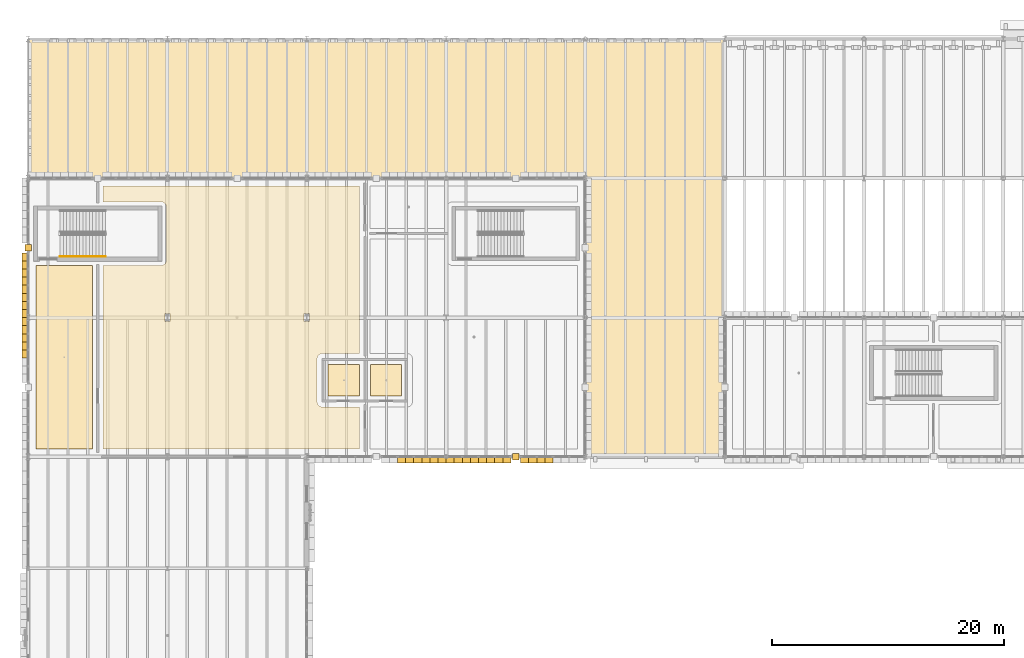
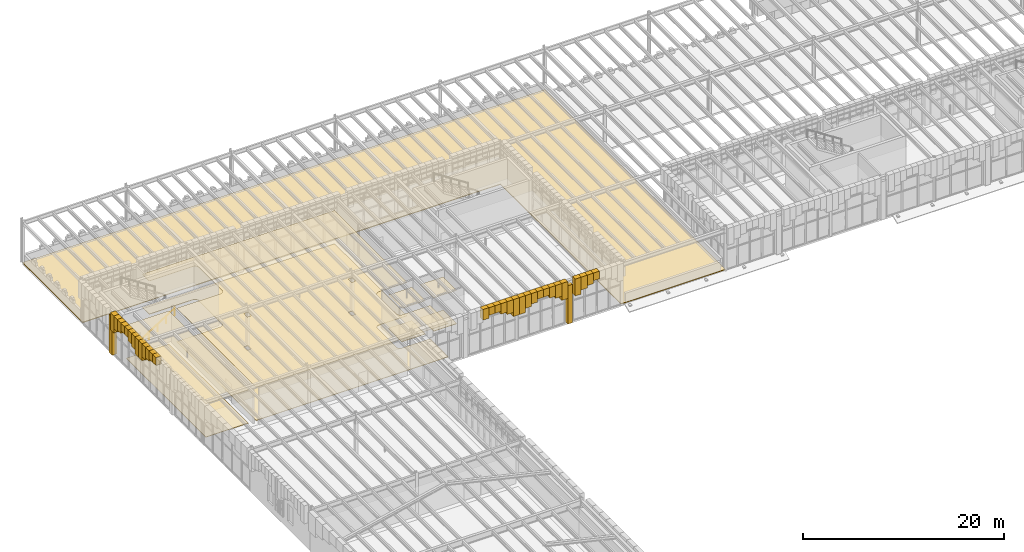
# One storey, part 78 of 100: 42 coverings, 1 railing.
"""IFC4 building model written with IfcOpenShell, lengths in metres."""

from ifc_helpers import new_model, si_unit, direction, frame, origin, origin_2d, place, context, subcontext, project, spatial, polyline, circle, outline, extrude, material, layer, layer_set, type_object, element, save


model = new_model("IFC4")

# Units and contexts
model_context = context("Model", 3, precision=1e-05, world=origin(), true_north=direction((0.0, 1.0)))
body_context = subcontext(model_context, "Body", "Model", "MODEL_VIEW")
ifc_project = project(units=[si_unit("LENGTHUNIT", "METRE"), si_unit("AREAUNIT", "SQUARE_METRE"), si_unit("VOLUMEUNIT", "CUBIC_METRE"), si_unit("PLANEANGLEUNIT", "RADIAN"), si_unit("MASSUNIT", "GRAM", prefix="KILO")], contexts=[model_context])

# Site, building, storey
site_placement = place(None, origin())
site = spatial("IfcSite", under=ifc_project, at=site_placement, CompositionType="ELEMENT")
building_placement = place(site_placement, origin())
building = spatial("IfcBuilding", under=site, at=building_placement, Name="Zlatogorsky Bluff Art Gallery", CompositionType="ELEMENT")
storey_placement = place(building_placement, frame((0.0, 0.0, 5.39990234375)))
storey = spatial("IfcBuildingStorey", under=building, at=storey_placement, Name="L01", CompositionType="ELEMENT", Elevation=5.39990234375)

# Coverings
ifc_material_1 = material(Name="Perforated Gypsum Acoustic Board", Category="gypsum")
ifc_layer_1 = layer(ifc_material_1, 0.0400390625)
ifc_layer_set_1 = layer_set([ifc_layer_1], Name="Acoustic Gallery Ceiling CLG-01")
covering_type_1 = type_object("IfcCoveringType", Name="Acoustic Gallery Ceiling CLG-01", PredefinedType="CEILING", material=ifc_layer_set_1)
covering_1_placement = place(storey_placement, frame((0.0, 0.0, 4.050048828125)))
element("IfcCovering", 1, at=covering_1_placement, inside=storey, type_object=covering_type_1, Name="Public Restrooms and Staff WC acoustic ceiling", PredefinedType="CEILING", context=body_context, shape_type="SweptSolid", body=[
    extrude(outline(polyline([(28.550048828125, 91.949951171875), (28.550048828125, 89.25), (25.85009765625, 89.25), (25.85009765625, 91.949951171875), (28.550048828125, 91.949951171875)])), origin(), (0.0, 0.0, 1.0), 0.0400390625),
])
covering_2_placement = place(storey_placement, frame((0.0, 0.0, 4.050048828125)))
element("IfcCovering", 2, at=covering_2_placement, inside=storey, type_object=covering_type_1, Name="Accessible WC acoustic ceiling", PredefinedType="CEILING", context=body_context, shape_type="SweptSolid", body=[
    extrude(outline(polyline([(32.14990234375, 89.25), (29.5, 89.25), (29.5, 91.949951171875), (32.14990234375, 91.949951171875), (32.14990234375, 89.25)])), origin(), (0.0, 0.0, 1.0), 0.0400390625),
])
covering_3_placement = place(storey_placement, frame((0.0, 0.0, 4.050048828125)))
element("IfcCovering", 3, at=covering_3_placement, inside=storey, type_object=covering_type_1, Name="Learning Centre Seminar Rooms acoustic ceiling", PredefinedType="CEILING", context=body_context, shape_type="SweptSolid", body=[
    extrude(outline(polyline([(0.669921875, 100.489990234375), (5.550048828125, 100.489990234375), (5.550048828125, 84.669921875), (0.669921875, 84.669921875), (0.669921875, 100.489990234375)])), origin(), (0.0, 0.0, 1.0), 0.0400390625),
])
covering_4_placement = place(storey_placement, frame((0.0, 0.0, 4.050048828125)))
element("IfcCovering", 4, at=covering_4_placement, inside=storey, type_object=covering_type_1, Name="Learning Centre Seminar Rooms acoustic ceiling", PredefinedType="CEILING", context=body_context, shape_type="SweptSolid", body=[
    extrude(outline(polyline([(28.550048828125, 84.669921875), (6.449951171875, 84.669921875), (6.449951171875, 100.489990234375), (11.450927734375, 100.489990234375), (11.495361328125, 100.4921875), (11.539306640625, 100.498779296875), (11.540283203125, 100.498779296875), (11.549560546875, 100.5009765625), (11.550537109375, 100.501220703125), (11.59375, 100.512939453125), (11.6357421875, 100.529296875), (11.637451171875, 100.530029296875), (11.673095703125, 100.5478515625), (11.674072265625, 100.54833984375), (11.706298828125, 100.568115234375), (11.73681640625, 100.59033203125), (11.73828125, 100.591552734375), (11.775390625, 100.624755859375), (11.80859375, 100.661865234375), (11.809814453125, 100.663330078125), (11.83203125, 100.693603515625), (11.851806640625, 100.725830078125), (11.852294921875, 100.726806640625), (11.8701171875, 100.762451171875), (11.870849609375, 100.764404296875), (11.886962890625, 100.80615234375), (11.89892578125, 100.849609375), (11.899169921875, 100.850341796875), (11.901123046875, 100.859619140625), (11.9013671875, 100.860595703125), (11.90771484375, 100.90478515625), (11.909912109375, 100.948974609375), (11.909912109375, 105.5009765625), (11.90771484375, 105.54541015625), (11.9013671875, 105.58935546875), (11.901123046875, 105.59033203125), (11.899169921875, 105.599609375), (11.89892578125, 105.6005859375), (11.886962890625, 105.643798828125), (11.870849609375, 105.685791015625), (11.8701171875, 105.6875), (11.852294921875, 105.72314453125), (11.851806640625, 105.72412109375), (11.83203125, 105.75634765625), (11.809814453125, 105.78662109375), (11.80859375, 105.7880859375), (11.775390625, 105.8251953125), (11.73828125, 105.8583984375), (11.73681640625, 105.859619140625), (11.706298828125, 105.882080078125), (11.674072265625, 105.901611328125), (11.673095703125, 105.902099609375), (11.637451171875, 105.919921875), (11.63671875, 105.92041015625), (11.6357421875, 105.9208984375), (11.59375, 105.93701171875), (11.550537109375, 105.948974609375), (11.549560546875, 105.94921875), (11.540283203125, 105.951171875), (11.539306640625, 105.951416015625), (11.495361328125, 105.957763671875), (11.450927734375, 105.9599609375), (6.449951171875, 105.9599609375), (6.449951171875, 107.330078125), (28.550048828125, 107.330078125), (28.550048828125, 92.89990234375), (25.35009765625, 92.89990234375), (25.305908203125, 92.897705078125), (25.26220703125, 92.891357421875), (25.219482421875, 92.880615234375), (25.177734375, 92.86572265625), (25.137939453125, 92.846923828125), (25.10009765625, 92.82421875), (25.064453125, 92.7978515625), (25.03173828125, 92.768310546875), (25.002197265625, 92.735595703125), (24.975830078125, 92.699951171875), (24.953125, 92.662109375), (24.934326171875, 92.622314453125), (24.91943359375, 92.58056640625), (24.90869140625, 92.537841796875), (24.902099609375, 92.494140625), (24.89990234375, 92.449951171875), (24.89990234375, 88.75), (24.902099609375, 88.705810546875), (24.90869140625, 88.662109375), (24.91943359375, 88.619384765625), (24.934326171875, 88.577880859375), (24.953125, 88.537841796875), (24.975830078125, 88.5), (25.002197265625, 88.464599609375), (25.03173828125, 88.431884765625), (25.064453125, 88.402099609375), (25.10009765625, 88.375732421875), (25.137939453125, 88.35302734375), (25.177734375, 88.334228515625), (25.219482421875, 88.3193359375), (25.26220703125, 88.30859375), (25.305908203125, 88.30224609375), (25.35009765625, 88.300048828125), (28.550048828125, 88.300048828125), (28.550048828125, 84.669921875)]), holes=[polyline([(11.77001953125, 96.330078125), (11.77001953125, 95.669921875), (12.22998046875, 95.669921875), (12.22998046875, 96.330078125), (11.77001953125, 96.330078125)]), polyline([(23.77001953125, 95.669921875), (24.22998046875, 95.669921875), (24.22998046875, 96.330078125), (23.77001953125, 96.330078125), (23.77001953125, 95.669921875)])]), origin(), (0.0, 0.0, 1.0), 0.0400390625),
])
ifc_material_2 = material(Name="Honed Red Agra-Tone Quartzitic Sandstone", Category="masonry")
ifc_layer_2 = layer(ifc_material_2, 0.1201171875)
ifc_layer_set_2 = layer_set([ifc_layer_2], Name="Carved Sandstone Cladding CLD-02")
covering_type_2 = type_object("IfcCoveringType", Name="Carved Sandstone Cladding CLD-02", PredefinedType="CLADDING", material=ifc_layer_set_2)
covering_5_placement = place(storey_placement, frame((0.0, 0.0, 4.424560546875)))
element("IfcCovering", 5, at=covering_5_placement, inside=storey, type_object=covering_type_2, Name="Pointed Mughal arch voussoir spandrel ARCH-CW-L01-W-00-08-A.4", PredefinedType="CLADDING", context=body_context, shape_type="SweptSolid", body=[
    extrude(outline(polyline([(-0.5400390625, 92.512451171875), (-0.5400390625, 93.2099609375), (0.030029296875, 93.2099609375), (0.030029296875, 92.512451171875), (-0.5400390625, 92.512451171875)])), origin(), (0.0, 0.0, 1.0), 0.935546875),
])
covering_6_placement = place(storey_placement, frame((0.0, 0.0, 4.424560546875)))
element("IfcCovering", 6, at=covering_6_placement, inside=storey, type_object=covering_type_2, Name="Pointed Mughal arch voussoir spandrel ARCH-CW-L01-W-00-08-A.5", PredefinedType="CLADDING", context=body_context, shape_type="SweptSolid", body=[
    extrude(outline(polyline([(-0.5400390625, 93.2099609375), (-0.5400390625, 93.907470703125), (0.030029296875, 93.907470703125), (0.030029296875, 93.2099609375), (-0.5400390625, 93.2099609375)])), origin(), (0.0, 0.0, 1.0), 0.935546875),
])
covering_7_placement = place(storey_placement, frame((0.0, 0.0, 4.076416015625)))
element("IfcCovering", 7, at=covering_7_placement, inside=storey, type_object=covering_type_2, Name="Pointed Mughal arch voussoir spandrel ARCH-CW-L01-W-00-08-A.6", PredefinedType="CLADDING", context=body_context, shape_type="SweptSolid", body=[
    extrude(outline(polyline([(-0.5400390625, 93.907470703125), (-0.5400390625, 94.60498046875), (0.030029296875, 94.60498046875), (0.030029296875, 93.907470703125), (-0.5400390625, 93.907470703125)])), origin(), (0.0, 0.0, 1.0), 1.28369140625),
])
covering_8_placement = place(storey_placement, frame((0.0, 0.0, 3.7998046875)))
element("IfcCovering", 8, at=covering_8_placement, inside=storey, type_object=covering_type_2, Name="Pointed Mughal arch voussoir spandrel ARCH-CW-L01-W-00-08-A.7", PredefinedType="CLADDING", context=body_context, shape_type="SweptSolid", body=[
    extrude(outline(polyline([(-0.5400390625, 94.60498046875), (-0.5400390625, 95.302490234375), (0.030029296875, 95.302490234375), (0.030029296875, 94.60498046875), (-0.5400390625, 94.60498046875)])), origin(), (0.0, 0.0, 1.0), 1.560302734375),
])
covering_9_placement = place(storey_placement, frame((0.0, 0.0, 3.2978515625)))
element("IfcCovering", 9, at=covering_9_placement, inside=storey, type_object=covering_type_2, Name="Pointed Mughal arch voussoir spandrel ARCH-CW-L01-W-00-08-A.8", PredefinedType="CLADDING", context=body_context, shape_type="SweptSolid", body=[
    extrude(outline(polyline([(-0.5400390625, 95.302490234375), (-0.5400390625, 96.0), (0.030029296875, 96.0), (0.030029296875, 95.302490234375), (-0.5400390625, 95.302490234375)])), origin(), (0.0, 0.0, 1.0), 2.062255859375),
])
covering_10_placement = place(storey_placement, frame((0.0, 0.0, -0.02978515625)))
element("IfcCovering", 10, at=covering_10_placement, inside=storey, type_object=covering_type_2, Name="Mughal dalan central sandstone pier L01 W 0.9", PredefinedType="CLADDING", context=body_context, shape_type="SweptSolid", body=[
    extrude(outline(polyline([(-0.280029296875, 101.719970703125), (0.280029296875, 101.719970703125), (0.280029296875, 102.280029296875), (-0.280029296875, 102.280029296875), (-0.280029296875, 101.719970703125)])), origin(), (0.0, 0.0, 1.0), 4.659912109375),
])
covering_11_placement = place(storey_placement, frame((0.0, 0.0, 3.2978515625)))
element("IfcCovering", 11, at=covering_11_placement, inside=storey, type_object=covering_type_2, Name="Pointed Mughal arch voussoir spandrel ARCH-CW-L01-W-00-09-B.1", PredefinedType="CLADDING", context=body_context, shape_type="SweptSolid", body=[
    extrude(outline(polyline([(-0.5400390625, 96.0), (-0.5400390625, 96.697509765625), (0.030029296875, 96.697509765625), (0.030029296875, 96.0), (-0.5400390625, 96.0)])), origin(), (0.0, 0.0, 1.0), 2.062255859375),
])
covering_12_placement = place(storey_placement, frame((0.0, 0.0, 3.7998046875)))
element("IfcCovering", 12, at=covering_12_placement, inside=storey, type_object=covering_type_2, Name="Pointed Mughal arch voussoir spandrel ARCH-CW-L01-W-00-09-B.2", PredefinedType="CLADDING", context=body_context, shape_type="SweptSolid", body=[
    extrude(outline(polyline([(-0.5400390625, 96.697509765625), (-0.5400390625, 97.39501953125), (0.030029296875, 97.39501953125), (0.030029296875, 96.697509765625), (-0.5400390625, 96.697509765625)])), origin(), (0.0, 0.0, 1.0), 1.560302734375),
])
covering_13_placement = place(storey_placement, frame((0.0, 0.0, 4.076416015625)))
element("IfcCovering", 13, at=covering_13_placement, inside=storey, type_object=covering_type_2, Name="Pointed Mughal arch voussoir spandrel ARCH-CW-L01-W-00-09-B.3", PredefinedType="CLADDING", context=body_context, shape_type="SweptSolid", body=[
    extrude(outline(polyline([(-0.5400390625, 97.39501953125), (-0.5400390625, 98.092529296875), (0.030029296875, 98.092529296875), (0.030029296875, 97.39501953125), (-0.5400390625, 97.39501953125)])), origin(), (0.0, 0.0, 1.0), 1.28369140625),
])
covering_14_placement = place(storey_placement, frame((0.0, 0.0, 4.424560546875)))
element("IfcCovering", 14, at=covering_14_placement, inside=storey, type_object=covering_type_2, Name="Pointed Mughal arch voussoir spandrel ARCH-CW-L01-W-00-09-B.4", PredefinedType="CLADDING", context=body_context, shape_type="SweptSolid", body=[
    extrude(outline(polyline([(-0.5400390625, 98.092529296875), (-0.5400390625, 98.7900390625), (0.030029296875, 98.7900390625), (0.030029296875, 98.092529296875), (-0.5400390625, 98.092529296875)])), origin(), (0.0, 0.0, 1.0), 0.935546875),
])
covering_15_placement = place(storey_placement, frame((0.0, 0.0, 4.424560546875)))
element("IfcCovering", 15, at=covering_15_placement, inside=storey, type_object=covering_type_2, Name="Pointed Mughal arch voussoir spandrel ARCH-CW-L01-W-00-09-B.5", PredefinedType="CLADDING", context=body_context, shape_type="SweptSolid", body=[
    extrude(outline(polyline([(-0.5400390625, 98.7900390625), (-0.5400390625, 99.487548828125), (0.030029296875, 99.487548828125), (0.030029296875, 98.7900390625), (-0.5400390625, 98.7900390625)])), origin(), (0.0, 0.0, 1.0), 0.935546875),
])
covering_16_placement = place(storey_placement, frame((0.0, 0.0, 4.076416015625)))
element("IfcCovering", 16, at=covering_16_placement, inside=storey, type_object=covering_type_2, Name="Pointed Mughal arch voussoir spandrel ARCH-CW-L01-W-00-09-B.6", PredefinedType="CLADDING", context=body_context, shape_type="SweptSolid", body=[
    extrude(outline(polyline([(-0.5400390625, 99.487548828125), (-0.5400390625, 100.18505859375), (0.030029296875, 100.18505859375), (0.030029296875, 99.487548828125), (-0.5400390625, 99.487548828125)])), origin(), (0.0, 0.0, 1.0), 1.28369140625),
])
covering_17_placement = place(storey_placement, frame((0.0, 0.0, 3.7998046875)))
element("IfcCovering", 17, at=covering_17_placement, inside=storey, type_object=covering_type_2, Name="Pointed Mughal arch voussoir spandrel ARCH-CW-L01-W-00-09-B.7", PredefinedType="CLADDING", context=body_context, shape_type="SweptSolid", body=[
    extrude(outline(polyline([(-0.5400390625, 100.18505859375), (-0.5400390625, 100.882568359375), (0.030029296875, 100.882568359375), (0.030029296875, 100.18505859375), (-0.5400390625, 100.18505859375)])), origin(), (0.0, 0.0, 1.0), 1.560302734375),
])
covering_18_placement = place(storey_placement, frame((0.0, 0.0, 3.2978515625)))
element("IfcCovering", 18, at=covering_18_placement, inside=storey, type_object=covering_type_2, Name="Pointed Mughal arch voussoir spandrel ARCH-CW-L01-W-00-09-B.8", PredefinedType="CLADDING", context=body_context, shape_type="SweptSolid", body=[
    extrude(outline(polyline([(-0.5400390625, 100.882568359375), (-0.5400390625, 101.580078125), (0.030029296875, 101.580078125), (0.030029296875, 100.882568359375), (-0.5400390625, 100.882568359375)])), origin(), (0.0, 0.0, 1.0), 2.062255859375),
])
covering_19_placement = place(storey_placement, frame((0.0, 0.0, 4.076416015625)))
element("IfcCovering", 19, at=covering_19_placement, inside=storey, type_object=covering_type_2, Name="Pointed Mughal arch voussoir spandrel ARCH-CW-L01-S-02-08-B.3", PredefinedType="CLADDING", context=body_context, shape_type="SweptSolid", body=[
    extrude(outline(polyline([(31.81494140625, 83.4599609375), (32.512451171875, 83.4599609375), (32.512451171875, 84.030029296875), (31.81494140625, 84.030029296875), (31.81494140625, 83.4599609375)])), origin(), (0.0, 0.0, 1.0), 1.28369140625),
])
covering_20_placement = place(storey_placement, frame((0.0, 0.0, 4.424560546875)))
element("IfcCovering", 20, at=covering_20_placement, inside=storey, type_object=covering_type_2, Name="Pointed Mughal arch voussoir spandrel ARCH-CW-L01-S-02-08-B.4", PredefinedType="CLADDING", context=body_context, shape_type="SweptSolid", body=[
    extrude(outline(polyline([(32.512451171875, 83.4599609375), (33.2099609375, 83.4599609375), (33.2099609375, 84.030029296875), (32.512451171875, 84.030029296875), (32.512451171875, 83.4599609375)])), origin(), (0.0, 0.0, 1.0), 0.935546875),
])
covering_21_placement = place(storey_placement, frame((0.0, 0.0, 4.424560546875)))
element("IfcCovering", 21, at=covering_21_placement, inside=storey, type_object=covering_type_2, Name="Pointed Mughal arch voussoir spandrel ARCH-CW-L01-S-02-08-B.5", PredefinedType="CLADDING", context=body_context, shape_type="SweptSolid", body=[
    extrude(outline(polyline([(33.2099609375, 83.4599609375), (33.907470703125, 83.4599609375), (33.907470703125, 84.030029296875), (33.2099609375, 84.030029296875), (33.2099609375, 83.4599609375)])), origin(), (0.0, 0.0, 1.0), 0.935546875),
])
covering_22_placement = place(storey_placement, frame((0.0, 0.0, 4.076416015625)))
element("IfcCovering", 22, at=covering_22_placement, inside=storey, type_object=covering_type_2, Name="Pointed Mughal arch voussoir spandrel ARCH-CW-L01-S-02-08-B.6", PredefinedType="CLADDING", context=body_context, shape_type="SweptSolid", body=[
    extrude(outline(polyline([(33.907470703125, 83.4599609375), (34.60498046875, 83.4599609375), (34.60498046875, 84.030029296875), (33.907470703125, 84.030029296875), (33.907470703125, 83.4599609375)])), origin(), (0.0, 0.0, 1.0), 1.28369140625),
])
covering_23_placement = place(storey_placement, frame((0.0, 0.0, 3.7998046875)))
element("IfcCovering", 23, at=covering_23_placement, inside=storey, type_object=covering_type_2, Name="Pointed Mughal arch voussoir spandrel ARCH-CW-L01-S-02-08-B.7", PredefinedType="CLADDING", context=body_context, shape_type="SweptSolid", body=[
    extrude(outline(polyline([(34.60498046875, 83.4599609375), (35.302490234375, 83.4599609375), (35.302490234375, 84.030029296875), (34.60498046875, 84.030029296875), (34.60498046875, 83.4599609375)])), origin(), (0.0, 0.0, 1.0), 1.560302734375),
])
covering_24_placement = place(storey_placement, frame((0.0, 0.0, 3.2978515625)))
element("IfcCovering", 24, at=covering_24_placement, inside=storey, type_object=covering_type_2, Name="Pointed Mughal arch voussoir spandrel ARCH-CW-L01-S-02-08-B.8", PredefinedType="CLADDING", context=body_context, shape_type="SweptSolid", body=[
    extrude(outline(polyline([(35.302490234375, 83.4599609375), (36.0, 83.4599609375), (36.0, 84.030029296875), (35.302490234375, 84.030029296875), (35.302490234375, 83.4599609375)])), origin(), (0.0, 0.0, 1.0), 2.062255859375),
])
covering_25_placement = place(storey_placement, frame((0.0, 0.0, -0.02978515625)))
element("IfcCovering", 25, at=covering_25_placement, inside=storey, type_object=covering_type_2, Name="Mughal dalan central sandstone pier L01 S 3.8", PredefinedType="CLADDING", context=body_context, shape_type="SweptSolid", body=[
    extrude(outline(polyline([(41.719970703125, 83.719970703125), (42.280029296875, 83.719970703125), (42.280029296875, 84.280029296875), (41.719970703125, 84.280029296875), (41.719970703125, 83.719970703125)])), origin(), (0.0, 0.0, 1.0), 4.659912109375),
])
covering_26_placement = place(storey_placement, frame((0.0, 0.0, 3.2978515625)))
element("IfcCovering", 26, at=covering_26_placement, inside=storey, type_object=covering_type_2, Name="Pointed Mughal arch voussoir spandrel ARCH-CW-L01-S-03-08-A.1", PredefinedType="CLADDING", context=body_context, shape_type="SweptSolid", body=[
    extrude(outline(polyline([(36.0, 83.4599609375), (36.697509765625, 83.4599609375), (36.697509765625, 84.030029296875), (36.0, 84.030029296875), (36.0, 83.4599609375)])), origin(), (0.0, 0.0, 1.0), 2.062255859375),
])
covering_27_placement = place(storey_placement, frame((0.0, 0.0, 3.7998046875)))
element("IfcCovering", 27, at=covering_27_placement, inside=storey, type_object=covering_type_2, Name="Pointed Mughal arch voussoir spandrel ARCH-CW-L01-S-03-08-A.2", PredefinedType="CLADDING", context=body_context, shape_type="SweptSolid", body=[
    extrude(outline(polyline([(36.697509765625, 83.4599609375), (37.39501953125, 83.4599609375), (37.39501953125, 84.030029296875), (36.697509765625, 84.030029296875), (36.697509765625, 83.4599609375)])), origin(), (0.0, 0.0, 1.0), 1.560302734375),
])
covering_28_placement = place(storey_placement, frame((0.0, 0.0, 4.076416015625)))
element("IfcCovering", 28, at=covering_28_placement, inside=storey, type_object=covering_type_2, Name="Pointed Mughal arch voussoir spandrel ARCH-CW-L01-S-03-08-A.3", PredefinedType="CLADDING", context=body_context, shape_type="SweptSolid", body=[
    extrude(outline(polyline([(37.39501953125, 83.4599609375), (38.092529296875, 83.4599609375), (38.092529296875, 84.030029296875), (37.39501953125, 84.030029296875), (37.39501953125, 83.4599609375)])), origin(), (0.0, 0.0, 1.0), 1.28369140625),
])
covering_29_placement = place(storey_placement, frame((0.0, 0.0, 4.424560546875)))
element("IfcCovering", 29, at=covering_29_placement, inside=storey, type_object=covering_type_2, Name="Pointed Mughal arch voussoir spandrel ARCH-CW-L01-S-03-08-A.4", PredefinedType="CLADDING", context=body_context, shape_type="SweptSolid", body=[
    extrude(outline(polyline([(38.092529296875, 83.4599609375), (38.7900390625, 83.4599609375), (38.7900390625, 84.030029296875), (38.092529296875, 84.030029296875), (38.092529296875, 83.4599609375)])), origin(), (0.0, 0.0, 1.0), 0.935546875),
])
covering_30_placement = place(storey_placement, frame((0.0, 0.0, 4.424560546875)))
element("IfcCovering", 30, at=covering_30_placement, inside=storey, type_object=covering_type_2, Name="Pointed Mughal arch voussoir spandrel ARCH-CW-L01-S-03-08-A.5", PredefinedType="CLADDING", context=body_context, shape_type="SweptSolid", body=[
    extrude(outline(polyline([(38.7900390625, 83.4599609375), (39.487548828125, 83.4599609375), (39.487548828125, 84.030029296875), (38.7900390625, 84.030029296875), (38.7900390625, 83.4599609375)])), origin(), (0.0, 0.0, 1.0), 0.935546875),
])
covering_31_placement = place(storey_placement, frame((0.0, 0.0, 4.076416015625)))
element("IfcCovering", 31, at=covering_31_placement, inside=storey, type_object=covering_type_2, Name="Pointed Mughal arch voussoir spandrel ARCH-CW-L01-S-03-08-A.6", PredefinedType="CLADDING", context=body_context, shape_type="SweptSolid", body=[
    extrude(outline(polyline([(39.487548828125, 83.4599609375), (40.18505859375, 83.4599609375), (40.18505859375, 84.030029296875), (39.487548828125, 84.030029296875), (39.487548828125, 83.4599609375)])), origin(), (0.0, 0.0, 1.0), 1.28369140625),
])
covering_32_placement = place(storey_placement, frame((0.0, 0.0, 3.7998046875)))
element("IfcCovering", 32, at=covering_32_placement, inside=storey, type_object=covering_type_2, Name="Pointed Mughal arch voussoir spandrel ARCH-CW-L01-S-03-08-A.7", PredefinedType="CLADDING", context=body_context, shape_type="SweptSolid", body=[
    extrude(outline(polyline([(40.18505859375, 83.4599609375), (40.882568359375, 83.4599609375), (40.882568359375, 84.030029296875), (40.18505859375, 84.030029296875), (40.18505859375, 83.4599609375)])), origin(), (0.0, 0.0, 1.0), 1.560302734375),
])
covering_33_placement = place(storey_placement, frame((0.0, 0.0, 3.2978515625)))
element("IfcCovering", 33, at=covering_33_placement, inside=storey, type_object=covering_type_2, Name="Pointed Mughal arch voussoir spandrel ARCH-CW-L01-S-03-08-A.8", PredefinedType="CLADDING", context=body_context, shape_type="SweptSolid", body=[
    extrude(outline(polyline([(40.882568359375, 83.4599609375), (41.580078125, 83.4599609375), (41.580078125, 84.030029296875), (40.882568359375, 84.030029296875), (40.882568359375, 83.4599609375)])), origin(), (0.0, 0.0, 1.0), 2.062255859375),
])
covering_34_placement = place(storey_placement, frame((0.0, 0.0, 3.2978515625)))
element("IfcCovering", 34, at=covering_34_placement, inside=storey, type_object=covering_type_2, Name="Pointed Mughal arch voussoir spandrel ARCH-CW-L01-S-03-08-B.1", PredefinedType="CLADDING", context=body_context, shape_type="SweptSolid", body=[
    extrude(outline(polyline([(42.419921875, 83.4599609375), (43.117431640625, 83.4599609375), (43.117431640625, 84.030029296875), (42.419921875, 84.030029296875), (42.419921875, 83.4599609375)])), origin(), (0.0, 0.0, 1.0), 2.062255859375),
])
covering_35_placement = place(storey_placement, frame((0.0, 0.0, 3.7998046875)))
element("IfcCovering", 35, at=covering_35_placement, inside=storey, type_object=covering_type_2, Name="Pointed Mughal arch voussoir spandrel ARCH-CW-L01-S-03-08-B.2", PredefinedType="CLADDING", context=body_context, shape_type="SweptSolid", body=[
    extrude(outline(polyline([(43.117431640625, 83.4599609375), (43.81494140625, 83.4599609375), (43.81494140625, 84.030029296875), (43.117431640625, 84.030029296875), (43.117431640625, 83.4599609375)])), origin(), (0.0, 0.0, 1.0), 1.560302734375),
])
covering_36_placement = place(storey_placement, frame((0.0, 0.0, 4.076416015625)))
element("IfcCovering", 36, at=covering_36_placement, inside=storey, type_object=covering_type_2, Name="Pointed Mughal arch voussoir spandrel ARCH-CW-L01-S-03-08-B.3", PredefinedType="CLADDING", context=body_context, shape_type="SweptSolid", body=[
    extrude(outline(polyline([(43.81494140625, 83.4599609375), (44.512451171875, 83.4599609375), (44.512451171875, 84.030029296875), (43.81494140625, 84.030029296875), (43.81494140625, 83.4599609375)])), origin(), (0.0, 0.0, 1.0), 1.28369140625),
])
covering_37_placement = place(storey_placement, frame((0.0, 0.0, 4.424560546875)))
element("IfcCovering", 37, at=covering_37_placement, inside=storey, type_object=covering_type_2, Name="Pointed Mughal arch voussoir spandrel ARCH-CW-L01-S-03-08-B.4", PredefinedType="CLADDING", context=body_context, shape_type="SweptSolid", body=[
    extrude(outline(polyline([(44.512451171875, 83.4599609375), (45.2099609375, 83.4599609375), (45.2099609375, 84.030029296875), (44.512451171875, 84.030029296875), (44.512451171875, 83.4599609375)])), origin(), (0.0, 0.0, 1.0), 0.935546875),
])
ifc_material_3 = material(Name="EPDM and Red-Sandstone Ballast Roofing", Category="masonry")
ifc_layer_3 = layer(ifc_material_3, 0.080078125)
ifc_layer_set_3 = layer_set([ifc_layer_3], Name="Insulated Roof Membrane RFM-01")
covering_type_3 = type_object("IfcCoveringType", Name="Insulated Roof Membrane RFM-01", PredefinedType="ROOFING", material=ifc_layer_set_3)
covering_38_placement = place(storey_placement, origin())
element("IfcCovering", 38, at=covering_38_placement, inside=storey, type_object=covering_type_3, Name="Roof membrane ROOF-FLAT-L01-01", PredefinedType="ROOFING", context=body_context, shape_type="SweptSolid", body=[
    extrude(outline(polyline([(48.0, 84.0), (48.0, 96.0), (48.0, 108.0), (36.0, 108.0), (24.0, 108.0), (12.0, 108.0), (0.0, 108.0), (0.0, 120.0), (12.0, 120.0), (24.0, 120.0), (36.0, 120.0), (48.0, 120.0), (60.0, 120.0), (60.0, 108.0), (60.0, 96.0), (60.0, 84.0), (48.0, 84.0)])), origin(), (0.0, 0.0, 1.0), 0.080078125),
])

# Railing
ifc_material_4 = material(Name="Brushed Stainless Steel", Category="steel")
railing_type = type_object("IfcRailingType", Name="Stair Pitch Handrail 900mm", PredefinedType="HANDRAIL", material=ifc_material_4)
railing_placement = place(storey_placement, frame((2.75, 101.25, 0.18017578125)))
element("IfcRailing", 39, at=railing_placement, inside=storey, type_object=railing_type, Name="L01 ST-05 stair handrail 1", PredefinedType="HANDRAIL", context=body_context, shape_type="SweptSolid", body=[
    extrude(circle(Radius=0.02392578125, at=origin_2d()), frame((0.0, 0.0, 0.8759765625), z_axis=(0.841171666519, 0.0, 0.540768182723), x_axis=(0.0, 1.0, 0.0)), (0.0, 0.0, 1.0), 4.66015625),
    extrude(circle(Radius=0.02099609375, at=origin_2d()), origin(), (0.0, 0.0, 1.0), 0.851806640625),
    extrude(circle(Radius=0.02099609375, at=origin_2d()), frame((0.97998046875, 0.0, 0.6298828125)), (0.0, 0.0, 1.0), 0.851806640625),
    extrude(circle(Radius=0.02099609375, at=origin_2d()), frame((1.9599609375, 0.0, 1.260009765625)), (0.0, 0.0, 1.0), 0.851806640625),
    extrude(circle(Radius=0.02099609375, at=origin_2d()), frame((2.93994140625, 0.0, 1.89013671875)), (0.0, 0.0, 1.0), 0.851806640625),
    extrude(circle(Radius=0.02099609375, at=origin_2d()), frame((3.919921875, 0.0, 2.52001953125)), (0.0, 0.0, 1.0), 0.851806640625),
])

# Coverings
ifc_material_5 = material(Name="Polished Ural Marble Terrazzo", Category="masonry")
ifc_layer_4 = layer(ifc_material_5, 0.050048828125)
ifc_layer_set_4 = layer_set([ifc_layer_4], Name="Terrazzo Gallery Flooring FLR-01")
covering_type_4 = type_object("IfcCoveringType", Name="Terrazzo Gallery Flooring FLR-01", PredefinedType="FLOORING", material=ifc_layer_set_4)
covering_39_placement = place(storey_placement, origin())
element("IfcCovering", 40, at=covering_39_placement, inside=storey, type_object=covering_type_4, Name="Public Restrooms and Staff WC terrazzo floor finish", PredefinedType="FLOORING", context=body_context, shape_type="SweptSolid", body=[
    extrude(outline(polyline([(28.550048828125, 91.949951171875), (28.550048828125, 89.25), (25.85009765625, 89.25), (25.85009765625, 91.949951171875), (28.550048828125, 91.949951171875)])), origin(), (0.0, 0.0, 1.0), 0.050048828125),
])
covering_40_placement = place(storey_placement, origin())
element("IfcCovering", 41, at=covering_40_placement, inside=storey, type_object=covering_type_4, Name="Accessible WC terrazzo floor finish", PredefinedType="FLOORING", context=body_context, shape_type="SweptSolid", body=[
    extrude(outline(polyline([(32.14990234375, 89.25), (29.5, 89.25), (29.5, 91.949951171875), (32.14990234375, 91.949951171875), (32.14990234375, 89.25)])), origin(), (0.0, 0.0, 1.0), 0.050048828125),
])
covering_41_placement = place(storey_placement, origin())
element("IfcCovering", 42, at=covering_41_placement, inside=storey, type_object=covering_type_4, Name="Learning Centre Seminar Rooms terrazzo floor finish", PredefinedType="FLOORING", context=body_context, shape_type="SweptSolid", body=[
    extrude(outline(polyline([(0.669921875, 100.489990234375), (5.550048828125, 100.489990234375), (5.550048828125, 84.669921875), (0.669921875, 84.669921875), (0.669921875, 100.489990234375)])), origin(), (0.0, 0.0, 1.0), 0.050048828125),
])
covering_42_placement = place(storey_placement, origin())
element("IfcCovering", 43, at=covering_42_placement, inside=storey, type_object=covering_type_4, Name="Learning Centre Seminar Rooms terrazzo floor finish", PredefinedType="FLOORING", context=body_context, shape_type="SweptSolid", body=[
    extrude(outline(polyline([(28.550048828125, 84.669921875), (6.449951171875, 84.669921875), (6.449951171875, 100.489990234375), (11.450927734375, 100.489990234375), (11.495361328125, 100.4921875), (11.539306640625, 100.498779296875), (11.540283203125, 100.498779296875), (11.549560546875, 100.5009765625), (11.550537109375, 100.501220703125), (11.59375, 100.512939453125), (11.6357421875, 100.529296875), (11.637451171875, 100.530029296875), (11.673095703125, 100.5478515625), (11.674072265625, 100.54833984375), (11.706298828125, 100.568115234375), (11.73681640625, 100.59033203125), (11.73828125, 100.591552734375), (11.775390625, 100.624755859375), (11.80859375, 100.661865234375), (11.809814453125, 100.663330078125), (11.83203125, 100.693603515625), (11.851806640625, 100.725830078125), (11.852294921875, 100.726806640625), (11.8701171875, 100.762451171875), (11.870849609375, 100.764404296875), (11.886962890625, 100.80615234375), (11.89892578125, 100.849609375), (11.899169921875, 100.850341796875), (11.901123046875, 100.859619140625), (11.9013671875, 100.860595703125), (11.90771484375, 100.90478515625), (11.909912109375, 100.948974609375), (11.909912109375, 105.5009765625), (11.90771484375, 105.54541015625), (11.9013671875, 105.58935546875), (11.901123046875, 105.59033203125), (11.899169921875, 105.599609375), (11.89892578125, 105.6005859375), (11.886962890625, 105.643798828125), (11.870849609375, 105.685791015625), (11.8701171875, 105.6875), (11.852294921875, 105.72314453125), (11.851806640625, 105.72412109375), (11.83203125, 105.75634765625), (11.809814453125, 105.78662109375), (11.80859375, 105.7880859375), (11.775390625, 105.8251953125), (11.73828125, 105.8583984375), (11.73681640625, 105.859619140625), (11.706298828125, 105.882080078125), (11.674072265625, 105.901611328125), (11.673095703125, 105.902099609375), (11.637451171875, 105.919921875), (11.63671875, 105.92041015625), (11.6357421875, 105.9208984375), (11.59375, 105.93701171875), (11.550537109375, 105.948974609375), (11.549560546875, 105.94921875), (11.540283203125, 105.951171875), (11.539306640625, 105.951416015625), (11.495361328125, 105.957763671875), (11.450927734375, 105.9599609375), (6.449951171875, 105.9599609375), (6.449951171875, 107.330078125), (28.550048828125, 107.330078125), (28.550048828125, 92.89990234375), (25.35009765625, 92.89990234375), (25.305908203125, 92.897705078125), (25.26220703125, 92.891357421875), (25.219482421875, 92.880615234375), (25.177734375, 92.86572265625), (25.137939453125, 92.846923828125), (25.10009765625, 92.82421875), (25.064453125, 92.7978515625), (25.03173828125, 92.768310546875), (25.002197265625, 92.735595703125), (24.975830078125, 92.699951171875), (24.953125, 92.662109375), (24.934326171875, 92.622314453125), (24.91943359375, 92.58056640625), (24.90869140625, 92.537841796875), (24.902099609375, 92.494140625), (24.89990234375, 92.449951171875), (24.89990234375, 88.75), (24.902099609375, 88.705810546875), (24.90869140625, 88.662109375), (24.91943359375, 88.619384765625), (24.934326171875, 88.577880859375), (24.953125, 88.537841796875), (24.975830078125, 88.5), (25.002197265625, 88.464599609375), (25.03173828125, 88.431884765625), (25.064453125, 88.402099609375), (25.10009765625, 88.375732421875), (25.137939453125, 88.35302734375), (25.177734375, 88.334228515625), (25.219482421875, 88.3193359375), (25.26220703125, 88.30859375), (25.305908203125, 88.30224609375), (25.35009765625, 88.300048828125), (28.550048828125, 88.300048828125), (28.550048828125, 84.669921875)]), holes=[polyline([(11.77001953125, 96.330078125), (11.77001953125, 95.669921875), (12.22998046875, 95.669921875), (12.22998046875, 96.330078125), (11.77001953125, 96.330078125)]), polyline([(23.77001953125, 95.669921875), (24.22998046875, 95.669921875), (24.22998046875, 96.330078125), (23.77001953125, 96.330078125), (23.77001953125, 95.669921875)])]), origin(), (0.0, 0.0, 1.0), 0.050048828125),
])

save(model, "model.ifc")
